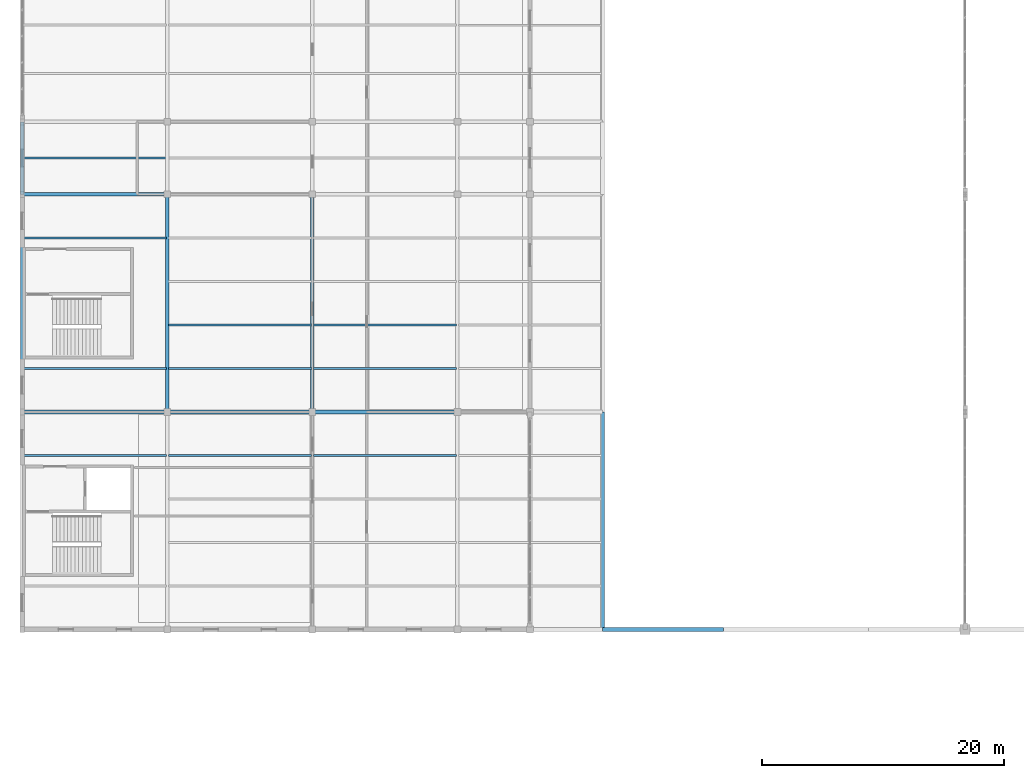
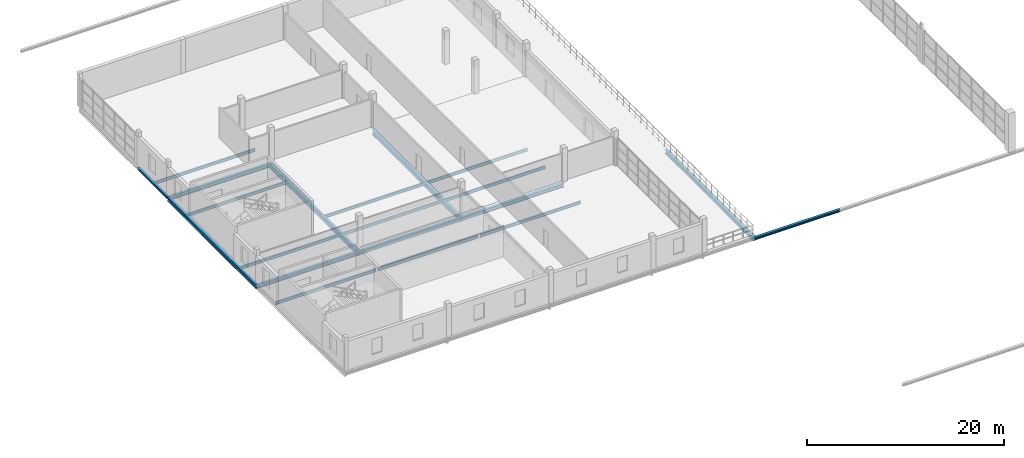
# One storey, part 14 of 86: 20 beams.
"""IFC4 building model written with IfcOpenShell, lengths in metres."""

from ifc_helpers import new_model, si_unit, direction, frame, origin, origin_2d, place, context, subcontext, project, spatial, i_section, extrude, material, material_profile, profile_set, type_object, element, save


model = new_model("IFC4")

# Units and contexts
model_context = context("Model", 3, precision=1e-05, world=origin(), true_north=direction((0.0, 1.0)))
body_context = subcontext(model_context, "Body", "Model", "MODEL_VIEW")
ifc_project = project(units=[si_unit("LENGTHUNIT", "METRE"), si_unit("AREAUNIT", "SQUARE_METRE"), si_unit("VOLUMEUNIT", "CUBIC_METRE"), si_unit("PLANEANGLEUNIT", "RADIAN"), si_unit("MASSUNIT", "GRAM", prefix="KILO")], contexts=[model_context])

# Site, building, storey
site_placement = place(None, origin())
site = spatial("IfcSite", under=ifc_project, at=site_placement, CompositionType="ELEMENT")
building_placement = place(site_placement, origin())
building = spatial("IfcBuilding", under=site, at=building_placement, Name="Zilviju Railside Exhibition Hall", CompositionType="ELEMENT")
storey_placement = place(building_placement, frame((0.0, 0.0, 12.60009765625)))
storey = spatial("IfcBuildingStorey", under=building, at=storey_placement, Name="L04", CompositionType="ELEMENT", Elevation=12.60009765625)

# Beams
ifc_material = material(Name="Steel S355J2", Category="steel")
ifc_material_profile_1 = material_profile(ifc_material, i_section(OverallWidth=0.300048828125, OverallDepth=0.2900390625, WebThickness=0.008544921875, FlangeThickness=0.013916015625, at=origin_2d()), Name="HEA 300")
ifc_profile_set_1 = profile_set([ifc_material_profile_1], Name="Steel S355J2")
beam_type_1 = type_object("IfcBeamType", Name="BM-HEA300", PredefinedType="SPANDREL", material=ifc_profile_set_1)
beam_1_placement = place(storey_placement, frame((48.0, 84.0, -0.485107421875), z_axis=(1.0, 0.0, 0.0), x_axis=(0.0, 1.0, 0.0)))
element("IfcBeam", 1, at=beam_1_placement, inside=storey, type_object=beam_type_1, Name="Primary Girder L04 Y=84.0 (48.0..58.0)", PredefinedType="SPANDREL", context=body_context, shape_type="SweptSolid", body=[
    extrude(i_section(OverallWidth=0.300048828125, OverallDepth=0.2900390625, WebThickness=0.008544921875, FlangeThickness=0.013916015625, at=origin_2d()), origin(), (0.0, 0.0, 1.0), 10.0),
])
beam_2_placement = place(storey_placement, frame((0.0, 120.0, -0.485107421875), z_axis=(0.0, 1.0, 0.0), x_axis=(-1.0, 0.0, 0.0)))
element("IfcBeam", 2, at=beam_2_placement, inside=storey, type_object=beam_type_1, Name="Transverse Girder L04 X=0.0 (120.0..126.0)", PredefinedType="SPANDREL", context=body_context, shape_type="SweptSolid", body=[
    extrude(i_section(OverallWidth=0.300048828125, OverallDepth=0.2900390625, WebThickness=0.008544921875, FlangeThickness=0.013916015625, at=origin_2d()), origin(), (0.0, 0.0, 1.0), 6.0),
])
ifc_material_profile_2 = material_profile(ifc_material, i_section(OverallWidth=0.300048828125, OverallDepth=0.43994140625, WebThickness=0.011474609375, FlangeThickness=0.02099609375, at=origin_2d()), Name="HEA 450")
ifc_profile_set_2 = profile_set([ifc_material_profile_2], Name="Steel S355J2")
beam_type_2 = type_object("IfcBeamType", Name="BM-HEA450", PredefinedType="BEAM", material=ifc_profile_set_2)
for number, where, z_axis, x_axis, name in (
    (3, (0.0, 102.0, -0.56005859375), (1.0, 0.0, 0.0), (0.0, 1.0, 0.0), "Primary Girder L04 Y=102.0 (0.0..12.0)"),
    (4, (12.0, 102.0, -0.56005859375), (1.0, 0.0, 0.0), (0.0, 1.0, 0.0), "Primary Girder L04 Y=102.0 (12.0..24.0)"),
    (5, (24.0, 102.0, -0.56005859375), (1.0, 0.0, 0.0), (0.0, 1.0, 0.0), "Primary Girder L04 Y=102.0 (24.0..36.0)"),
    (6, (0.0, 120.0, -0.56005859375), (1.0, 0.0, 0.0), (0.0, 1.0, 0.0), "Primary Girder L04 Y=120.0 (0.0..12.0)"),
):
    element("IfcBeam", number, at=place(storey_placement, frame(where, z_axis=z_axis, x_axis=x_axis)), inside=storey, type_object=beam_type_2, Name=name, PredefinedType="BEAM", context=body_context, shape_type="SweptSolid", body=[
        extrude(i_section(OverallWidth=0.300048828125, OverallDepth=0.43994140625, WebThickness=0.011474609375, FlangeThickness=0.02099609375, at=origin_2d()), origin(), (0.0, 0.0, 1.0), 12.0),
    ])
ifc_material_profile_3 = material_profile(ifc_material, i_section(OverallWidth=0.300048828125, OverallDepth=0.5, WebThickness=0.014404296875, FlangeThickness=0.028076171875, at=origin_2d()), Name="HEB 500")
ifc_profile_set_3 = profile_set([ifc_material_profile_3], Name="Steel S355J2")
beam_type_3 = type_object("IfcBeamType", Name="BM-HEB500", PredefinedType="BEAM", material=ifc_profile_set_3)
for number, where, z_axis, x_axis, name in (
    (7, (0.0, 102.0, -0.590087890625), (0.0, 1.0, 0.0), (-1.0, 0.0, 0.0), "Transverse Girder L04 X=0.0 (102.0..120.0)"),
    (8, (48.0, 84.0, -0.550048828125), (0.0, 1.0, 0.0), (-1.0, 0.0, 0.0), "Transverse Girder L04 X=48.0 (84.0..102.0)"),
):
    element("IfcBeam", number, at=place(storey_placement, frame(where, z_axis=z_axis, x_axis=x_axis)), inside=storey, type_object=beam_type_3, Name=name, PredefinedType="BEAM", context=body_context, shape_type="SweptSolid", body=[
        extrude(i_section(OverallWidth=0.300048828125, OverallDepth=0.5, WebThickness=0.014404296875, FlangeThickness=0.028076171875, at=origin_2d()), origin(), (0.0, 0.0, 1.0), 18.0),
    ])
ifc_material_profile_4 = material_profile(ifc_material, i_section(OverallWidth=0.300048828125, OverallDepth=0.60009765625, WebThickness=0.015380859375, FlangeThickness=0.030029296875, at=origin_2d()), Name="HEB 600")
ifc_profile_set_4 = profile_set([ifc_material_profile_4], Name="Steel S355J2")
beam_type_4 = type_object("IfcBeamType", Name="BM-HEB600", PredefinedType="BEAM", material=ifc_profile_set_4)
for number, where, z_axis, x_axis, name in (
    (9, (12.0, 102.0, -0.64013671875), (0.0, 1.0, 0.0), (-1.0, 0.0, 0.0), "Transverse Girder L04 X=12.0 (102.0..120.0)"),
    (10, (24.0, 102.0, -0.64013671875), (0.0, 1.0, 0.0), (-1.0, 0.0, 0.0), "Transverse Girder L04 X=24.0 (102.0..120.0)"),
):
    element("IfcBeam", number, at=place(storey_placement, frame(where, z_axis=z_axis, x_axis=x_axis)), inside=storey, type_object=beam_type_4, Name=name, PredefinedType="BEAM", context=body_context, shape_type="SweptSolid", body=[
        extrude(i_section(OverallWidth=0.300048828125, OverallDepth=0.60009765625, WebThickness=0.015380859375, FlangeThickness=0.030029296875, at=origin_2d()), origin(), (0.0, 0.0, 1.0), 18.0),
    ])
ifc_material_profile_5 = material_profile(ifc_material, i_section(OverallWidth=0.169921875, OverallDepth=0.360107421875, WebThickness=0.008056640625, FlangeThickness=0.0126953125, at=origin_2d()), Name="IPE 360")
ifc_profile_set_5 = profile_set([ifc_material_profile_5], Name="Steel S355J2")
beam_type_5 = type_object("IfcBeamType", Name="BM-IPE360", PredefinedType="JOIST", material=ifc_profile_set_5)
for number, where, z_axis, x_axis, name in (
    (11, (0.080078125, 98.39990234375, -0.52001953125), (1.0, 0.0, 0.0), (0.0, 1.0, 0.0), "Composite Floor Joist L04 Y=98.40 (0.0..12.0)"),
    (12, (0.080078125, 105.60009765625, -0.52001953125), (1.0, 0.0, 0.0), (0.0, 1.0, 0.0), "Composite Floor Joist L04 Y=105.60 (0.0..12.0)"),
    (13, (0.080078125, 116.39990234375, -0.52001953125), (1.0, 0.0, 0.0), (0.0, 1.0, 0.0), "Composite Floor Joist L04 Y=116.40 (0.0..12.0)"),
    (14, (0.080078125, 123.0, -0.52001953125), (1.0, 0.0, 0.0), (0.0, 1.0, 0.0), "Composite Floor Joist L04 Y=123.00 (0.0..12.0)"),
    (15, (12.080078125, 98.39990234375, -0.52001953125), (1.0, 0.0, 0.0), (0.0, 1.0, 0.0), "Composite Floor Joist L04 Y=98.40 (12.0..24.0)"),
    (16, (12.080078125, 105.60009765625, -0.52001953125), (1.0, 0.0, 0.0), (0.0, 1.0, 0.0), "Composite Floor Joist L04 Y=105.60 (12.0..24.0)"),
    (17, (12.080078125, 109.199951171875, -0.52001953125), (1.0, 0.0, 0.0), (0.0, 1.0, 0.0), "Composite Floor Joist L04 Y=109.20 (12.0..24.0)"),
    (18, (24.080078125, 98.39990234375, -0.52001953125), (1.0, 0.0, 0.0), (0.0, 1.0, 0.0), "Composite Floor Joist L04 Y=98.40 (24.0..36.0)"),
    (19, (24.080078125, 105.60009765625, -0.52001953125), (1.0, 0.0, 0.0), (0.0, 1.0, 0.0), "Composite Floor Joist L04 Y=105.60 (24.0..36.0)"),
    (20, (24.080078125, 109.199951171875, -0.52001953125), (1.0, 0.0, 0.0), (0.0, 1.0, 0.0), "Composite Floor Joist L04 Y=109.20 (24.0..36.0)"),
):
    element("IfcBeam", number, at=place(storey_placement, frame(where, z_axis=z_axis, x_axis=x_axis)), inside=storey, type_object=beam_type_5, Name=name, PredefinedType="JOIST", context=body_context, shape_type="SweptSolid", body=[
        extrude(i_section(OverallWidth=0.169921875, OverallDepth=0.360107421875, WebThickness=0.008056640625, FlangeThickness=0.0126953125, at=origin_2d()), origin(), (0.0, 0.0, 1.0), 11.83984375),
    ])

save(model, "model.ifc")
